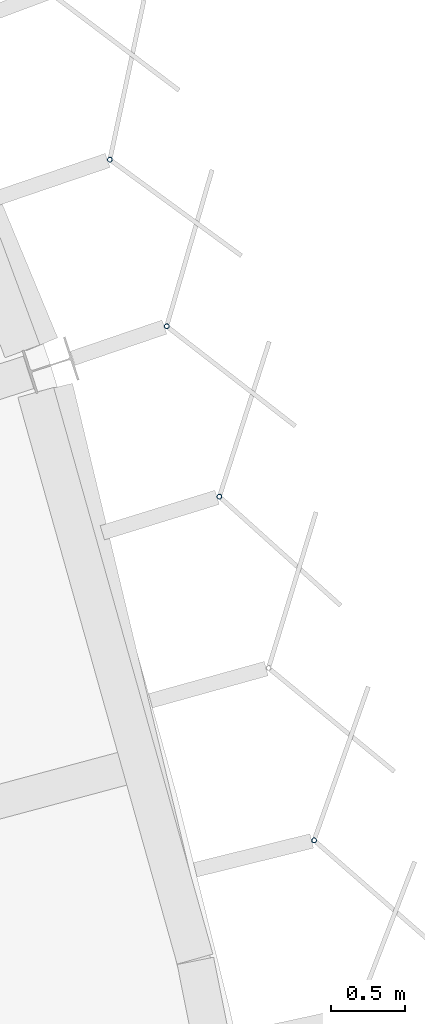
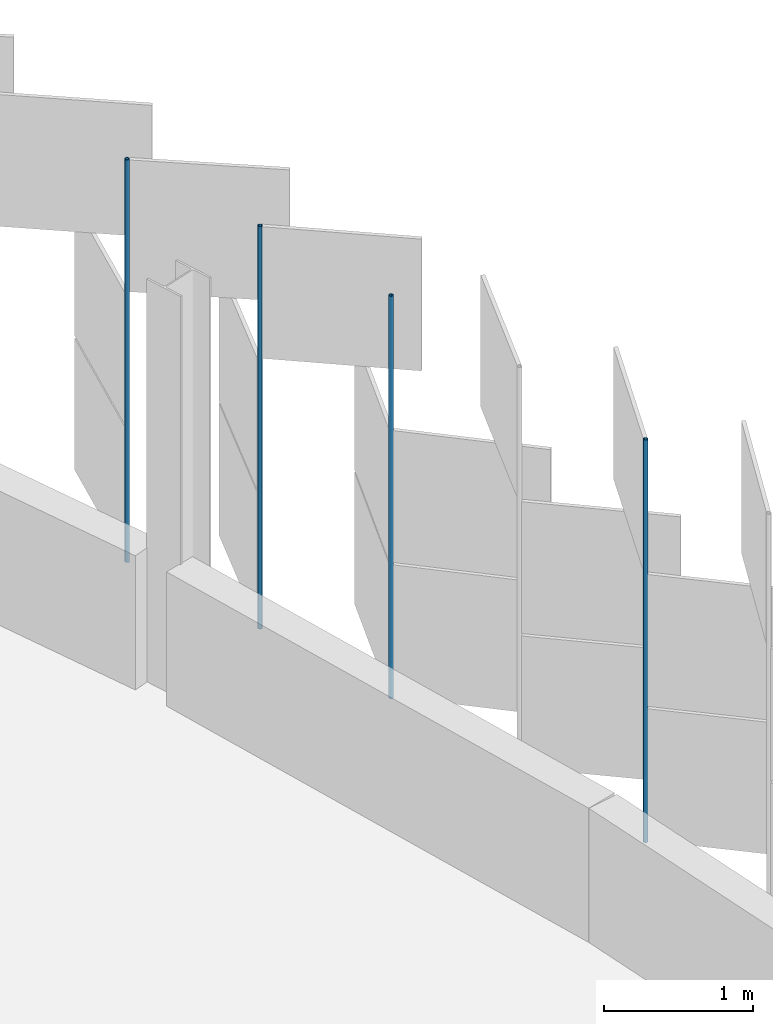
# One storey, part 120 of 198: 4 discrete accessories.
"""IFC4 building model written with IfcOpenShell, lengths in metres."""

import ifcopenshell
import ifcopenshell.guid

model = None  # the IFC model being written
_history = None  # IfcOwnerHistory: only IFC2X3 demands one
_inside = {}  # id of a spatial element -> (the spatial element, [elements in it])
_under = {}  # id of a project, library or spatial element -> (it, [spatial elements below it])
_declared = {}  # id of a project -> (the project, [libraries it declares])
_typed = {}  # id of a type object -> (the type object, [elements of that type])
_made_of = {}  # id of a material, layer set ... -> (it, [elements and type objects made of it])


def new_model(schema):
    """Start an empty IFC model of exactly this schema.

    Asked for "IFC4X3", IfcOpenShell would pick the latest addendum, in which some entities
    have other attributes; the version numbers below select the first issue.
    IFC2X3 requires an IfcOwnerHistory on every rooted entity: one is made here for all.
    """
    global model, _history
    if schema == "IFC4X3":
        model = ifcopenshell.file(schema_version=(4, 3, 0, 0))
    else:
        model = ifcopenshell.file(schema=schema)
    _inside.clear()
    _under.clear()
    _declared.clear()
    _typed.clear()
    _made_of.clear()
    _history = None
    if model.schema == "IFC2X3":
        org = make("IfcOrganization", Name="unknown")
        user = make(
            "IfcPersonAndOrganization",
            ThePerson=make("IfcPerson", FamilyName="unknown"),
            TheOrganization=org,
        )
        app = make(
            "IfcApplication",
            ApplicationDeveloper=org,
            Version="unknown",
            ApplicationFullName="unknown",
            ApplicationIdentifier="unknown",
        )
        _history = make(
            "IfcOwnerHistory",
            OwningUser=user,
            OwningApplication=app,
            ChangeAction="ADDED",
            CreationDate=0,
        )
    return model


def make(cls, **values):
    """One entity of the class cls with the attributes given. An attribute that is None is left unset."""
    return model.create_entity(
        cls, **{name: value for name, value in values.items() if value is not None}
    )


def rooted(cls, **values):
    """An entity with a GlobalId (a new one), such as an element, a storey or a relation."""
    return make(cls, GlobalId=ifcopenshell.guid.new(), OwnerHistory=_history, **values)


def si_unit(unit_type, name, prefix=None):
    """IfcSIUnit, for example si_unit("LENGTHUNIT", "METRE", prefix="MILLI")."""
    return make("IfcSIUnit", UnitType=unit_type, Prefix=prefix, Name=name)


def assignment(units):
    """IfcUnitAssignment: the units of a project."""
    return None if units is None else make("IfcUnitAssignment", Units=units)


def point(xyz):
    """IfcCartesianPoint."""
    return None if xyz is None else make("IfcCartesianPoint", Coordinates=xyz)


def direction(xyz):
    """IfcDirection."""
    return None if xyz is None else make("IfcDirection", DirectionRatios=xyz)


def frame(location, z_axis=None, x_axis=None):
    """IfcAxis2Placement3D, a coordinate frame: its origin and axes. An axis left out is left unset."""
    return make(
        "IfcAxis2Placement3D",
        Location=point(location),
        Axis=direction(z_axis),
        RefDirection=direction(x_axis),
    )


def frame_2d(location, x_axis=None):
    """IfcAxis2Placement2D, a coordinate frame in the plane: its origin and x axis."""
    return make(
        "IfcAxis2Placement2D", Location=point(location), RefDirection=direction(x_axis)
    )


def origin():
    """The frame at (0, 0, 0) with its axes left unset."""
    return frame((0.0, 0.0, 0.0))


def origin_2d():
    """The frame at (0, 0) in the plane with its x axis left unset."""
    return frame_2d((0.0, 0.0))


def place(relative_to, where):
    """IfcLocalPlacement: puts the frame where relative to a parent placement (None: the world)."""
    return make(
        "IfcLocalPlacement", PlacementRelTo=relative_to, RelativePlacement=where
    )


def context(
    kind, dimensions, precision=None, world=None, true_north=None, identifier=None
):
    """IfcGeometricRepresentationContext, for example the 3D "Model" context."""
    return make(
        "IfcGeometricRepresentationContext",
        ContextIdentifier=identifier,
        ContextType=kind,
        CoordinateSpaceDimension=dimensions,
        Precision=precision,
        WorldCoordinateSystem=world,
        TrueNorth=true_north,
    )


def subcontext(parent, identifier, kind, view, scale=None):
    """IfcGeometricRepresentationSubContext, for example "Body" below "Model"."""
    return make(
        "IfcGeometricRepresentationSubContext",
        ContextIdentifier=identifier,
        ContextType=kind,
        ParentContext=parent,
        TargetScale=scale,
        TargetView=view,
    )


def project(units=None, contexts=None):
    """IfcProject with its units and contexts."""
    return rooted(
        "IfcProject",
        Name="project",
        RepresentationContexts=contexts,
        UnitsInContext=assignment(units),
    )


def spatial(cls, under=None, at=None, **own):
    """A site, building, storey or space (cls), placed at a placement, below another one or the project."""
    s = rooted(cls, ObjectPlacement=at, **own)
    if under is not None:
        _under.setdefault(under.id(), (under, []))[1].append(s)
    return s


def profile(cls, at=None, kind="AREA", **sizes):
    """A parametric profile (cls). Its sizes go by their IFC names, for example OverallWidth=200.0."""
    return make(cls, ProfileType=kind, Position=at, **sizes)


def hollow_circle(**sizes):
    """IfcCircleHollowProfileDef."""
    return profile("IfcCircleHollowProfileDef", **sizes)


def extrude(swept, where, along, depth):
    """IfcExtrudedAreaSolid: the profile swept, set in the frame where, extruded along a direction by depth."""
    return make(
        "IfcExtrudedAreaSolid",
        SweptArea=swept,
        Position=where,
        ExtrudedDirection=direction(along),
        Depth=depth,
    )


def shape(context_of_items, identifier, shape_type, items):
    """IfcShapeRepresentation: the items that make up one representation, for example the "Body"."""
    return make(
        "IfcShapeRepresentation",
        ContextOfItems=context_of_items,
        RepresentationIdentifier=identifier,
        RepresentationType=shape_type,
        Items=items,
    )


def material(Name=None, Category=None):
    """IfcMaterial."""
    return make("IfcMaterial", Name=Name, Category=Category)


def material_profile(
    of_material, cross_section, Name=None, Category=None, Priority=None
):
    """IfcMaterialProfile: a cross section and its material."""
    return make(
        "IfcMaterialProfile",
        Name=Name,
        Material=of_material,
        Profile=cross_section,
        Priority=Priority,
        Category=Category,
    )


def profile_set(profiles, Name=None, composite=None):
    """IfcMaterialProfileSet."""
    return make(
        "IfcMaterialProfileSet",
        Name=Name,
        MaterialProfiles=profiles,
        CompositeProfile=composite,
    )


def made_of(thing, what):
    """Note that an element or type object is made of a material, layer set ...; save() writes the relation."""
    if what is not None:
        _made_of.setdefault(what.id(), (what, []))[1].append(thing)
    return thing


def type_object(cls, material=None, **own):
    """A type object (cls), such as IfcWallType, which elements share."""
    return made_of(rooted(cls, **own), material)


def element(
    cls,
    number,
    at=None,
    inside=None,
    cuts=None,
    type_object=None,
    material=None,
    context=None,
    identifier="Body",
    shape_type=None,
    held_by="IfcProductDefinitionShape",
    body=None,
    shapes=None,
    **own,
):
    """One element of the class cls, such as IfcWall. Its Tag is "e" and its number.

    at: its placement. inside: the storey or other place that contains it. cuts: it is an
    opening in that element (IfcRelVoidsElement). A single representation is given by context,
    identifier, shape_type and body (its items); several are given by shapes. held_by: the class
    of the entity that holds the representations. save() writes the other relations.
    """
    e = rooted(cls, Tag="e%d" % number, ObjectPlacement=at, **own)
    if body is not None:
        shapes = [shape(context, identifier, shape_type, body)]
    if shapes is not None:
        e.Representation = make(held_by, Representations=shapes)
    if inside is not None:
        _inside.setdefault(inside.id(), (inside, []))[1].append(e)
    if cuts is not None:
        rooted(
            "IfcRelVoidsElement", RelatingBuildingElement=cuts, RelatedOpeningElement=e
        )
    if type_object is not None:
        _typed.setdefault(type_object.id(), (type_object, []))[1].append(e)
    return made_of(e, material)


def aggregate(whole, parts):
    """IfcRelAggregates: a whole, such as a stair, and the parts it consists of."""
    return rooted("IfcRelAggregates", RelatingObject=whole, RelatedObjects=parts)


def save(model, path):
    """Write the relations noted so far, then the file.

    IfcRelAggregates (storeys below a building ...), IfcRelContainedInSpatialStructure (elements
    in a storey), IfcRelDefinesByType, IfcRelAssociatesMaterial and IfcRelDeclares: one each for
    every whole, place, type object, material and project.
    """
    for whole, parts in _under.values():
        aggregate(whole, parts)
    for where, things in _inside.values():
        rooted(
            "IfcRelContainedInSpatialStructure",
            RelatedElements=things,
            RelatingStructure=where,
        )
    for kind, things in _typed.values():
        rooted("IfcRelDefinesByType", RelatedObjects=things, RelatingType=kind)
    for what, things in _made_of.values():
        rooted("IfcRelAssociatesMaterial", RelatedObjects=things, RelatingMaterial=what)
    for by, libraries in _declared.values():
        rooted("IfcRelDeclares", RelatingContext=by, RelatedDefinitions=libraries)
    model.write(path)


model = new_model("IFC4")

# Units and contexts
model_context = context("Model", 3, precision=1e-05, world=origin(), true_north=direction((0.0, 1.0)))
body_context = subcontext(model_context, "Body", "Model", "MODEL_VIEW")
ifc_project = project(units=[si_unit("LENGTHUNIT", "METRE"), si_unit("AREAUNIT", "SQUARE_METRE"), si_unit("VOLUMEUNIT", "CUBIC_METRE"), si_unit("PLANEANGLEUNIT", "RADIAN"), si_unit("MASSUNIT", "GRAM", prefix="KILO")], contexts=[model_context])

# Site, building, storey
site_placement = place(None, origin())
site = spatial("IfcSite", under=ifc_project, at=site_placement, CompositionType="ELEMENT")
building_placement = place(site_placement, origin())
building = spatial("IfcBuilding", under=site, at=building_placement, Name="Parallax Yard Mobility Hub", CompositionType="ELEMENT")
storey_placement = place(building_placement, frame((0.0, 0.0, 6.60009765625)))
storey = spatial("IfcBuildingStorey", under=building, at=storey_placement, Name="L02", CompositionType="ELEMENT", Elevation=6.60009765625)

# Discrete accessories
ifc_material = material(Name="Steel ASTM A500 Gr C, hot-dip galvanised", Category="steel")
ifc_material_profile = material_profile(ifc_material, hollow_circle(Radius=0.016845703125, WallThickness=0.003173828125, at=origin_2d()), Name="CHS 33.7x3.2")
ifc_profile_set = profile_set([ifc_material_profile], Name="Steel ASTM A500 Gr C, hot-dip galvanised")
discrete_accessory_type = type_object("IfcDiscreteAccessoryType", Name="Hinge post CHS 33.7x3.2", PredefinedType="BRACKET", material=ifc_profile_set)
for number, where, z_axis, x_axis, name in (
    (1, (224.203125, 103.026123046875, 0.0), (0.0, 0.0, 1.0), (1.0, 0.0, 0.0), "Hinge post bay 42.5 level L02"),
    (2, (223.566162109375, 105.33935546875, 0.0), (0.0, 0.0, 1.0), (1.0, 0.0, 0.0), "Hinge post bay 42.7 level L02"),
    (3, (223.21142578125, 106.485595703125, 0.0), (0.0, 0.0, 1.0), (1.0, 0.0, 0.0), "Hinge post bay 43.1 level L02"),
    (4, (222.829345703125, 107.60693359375, 0.0), (0.0, 0.0, 1.0), (1.0, 0.0, 0.0), "Hinge post bay 43.2 level L02"),
):
    element("IfcDiscreteAccessory", number, at=place(storey_placement, frame(where, z_axis=z_axis, x_axis=x_axis)), inside=storey, type_object=discrete_accessory_type, Name=name, PredefinedType="BRACKET", context=body_context, shape_type="SweptSolid", body=[
        extrude(hollow_circle(Radius=0.016845703125, WallThickness=0.003173828125, at=origin_2d()), origin(), (0.0, 0.0, 1.0), 3.2998046875),
    ])

save(model, "model.ifc")
